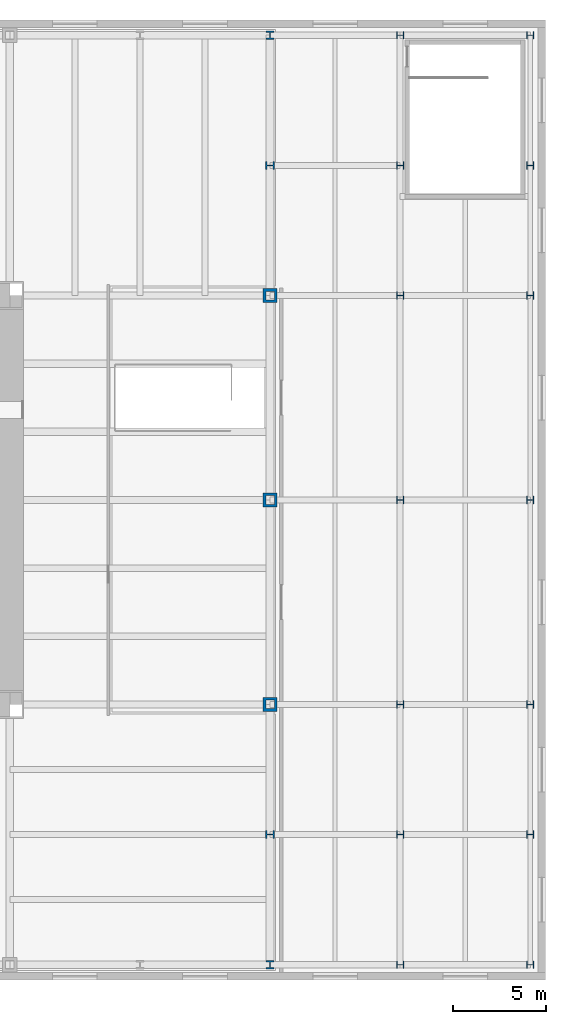
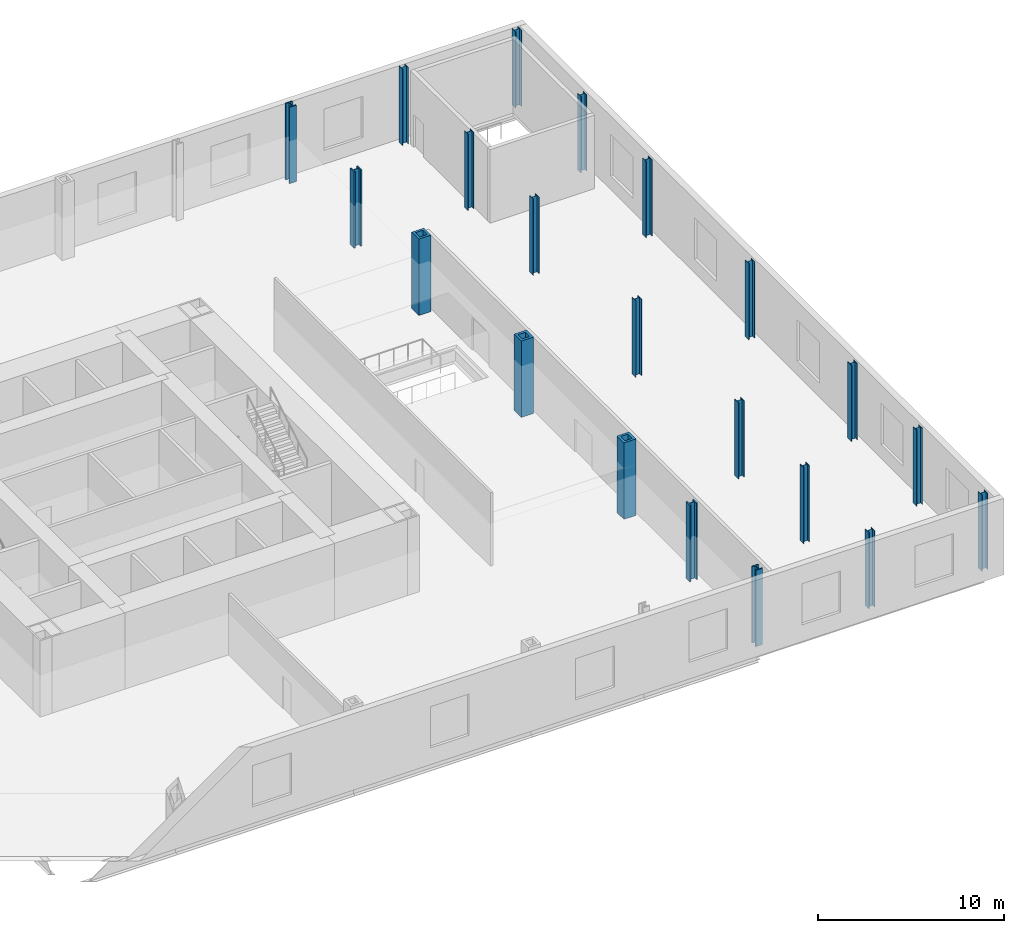
# One storey, part 4 of 12: 21 columns.
"""IFC4 building model written with IfcOpenShell, lengths in metres."""

from ifc_helpers import new_model, si_unit, direction, frame, origin, origin_2d, place, context, subcontext, project, spatial, hollow_rectangle, i_section, extrude, material, material_profile, profile_set, type_object, element, save


model = new_model("IFC4")

# Units and contexts
model_context = context("Model", 3, precision=1e-05, world=origin(), true_north=direction((0.0, 1.0)))
body_context = subcontext(model_context, "Body", "Model", "MODEL_VIEW")
ifc_project = project(units=[si_unit("LENGTHUNIT", "METRE"), si_unit("AREAUNIT", "SQUARE_METRE"), si_unit("VOLUMEUNIT", "CUBIC_METRE"), si_unit("PLANEANGLEUNIT", "RADIAN"), si_unit("MASSUNIT", "GRAM", prefix="KILO")], contexts=[model_context])

# Site, building, storey
site_placement = place(None, origin())
site = spatial("IfcSite", under=ifc_project, at=site_placement, CompositionType="ELEMENT")
building_placement = place(site_placement, origin())
building = spatial("IfcBuilding", under=site, at=building_placement, Name="Trevanion Tower", CompositionType="ELEMENT")
storey_placement = place(building_placement, frame((0.0, 0.0, 11.0)))
storey = spatial("IfcBuildingStorey", under=building, at=storey_placement, Name="L02", CompositionType="ELEMENT", Elevation=11.0)

# Columns
ifc_material_1 = material(Name="Steel ASTM A588 Grade 50", Category="steel")
ifc_material_profile_1 = material_profile(ifc_material_1, hollow_rectangle(XDim=0.761962890625, YDim=0.761962890625, WallThickness=0.15234375, at=origin_2d()), Name="BOX30X30X6")
ifc_profile_set_1 = profile_set([ifc_material_profile_1], Name="Steel ASTM A588 Grade 50")
column_type_1 = type_object("IfcColumnType", Name="C1 BOX30X30X6", PredefinedType="COLUMN", material=ifc_profile_set_1)
for number, where, z_axis, x_axis, name in (
    (1, (25.0, -11.0, 0.0), (0.0, 0.0, 1.0), (0.0, 1.0, 0.0), "C1 17/F L02"),
    (2, (25.0, 0.0, 0.0), (0.0, 0.0, 1.0), (0.0, 1.0, 0.0), "C1 17/H L02"),
    (3, (25.0, 11.0, 0.0), (0.0, 0.0, 1.0), (0.0, 1.0, 0.0), "C1 17/K L02"),
):
    element("IfcColumn", number, at=place(storey_placement, frame(where, z_axis=z_axis, x_axis=x_axis)), inside=storey, type_object=column_type_1, Name=name, PredefinedType="COLUMN", context=body_context, shape_type="SweptSolid", body=[
        extrude(hollow_rectangle(XDim=0.761962890625, YDim=0.761962890625, WallThickness=0.15234375, at=origin_2d()), origin(), (0.0, 0.0, 1.0), 5.0),
    ])
ifc_material_2 = material(Name="Steel ASTM A913 Grade 65", Category="steel")
ifc_material_profile_2 = material_profile(ifc_material_2, i_section(OverallWidth=0.4267578125, OverallDepth=0.482666015625, WebThickness=0.05126953125, FlangeThickness=0.08154296875, at=origin_2d()), Name="W14X455")
ifc_profile_set_2 = profile_set([ifc_material_profile_2], Name="Steel ASTM A913 Grade 65")
column_type_2 = type_object("IfcColumnType", Name="C2 W14X455", PredefinedType="COLUMN", material=ifc_profile_set_2)
for number, where, z_axis, x_axis, name in (
    (4, (25.0, -25.0, 0.0), (0.0, 0.0, 1.0), (1.0, 0.0, 0.0), "C2 17/A L02"),
    (5, (25.0, -18.0, 0.0), (0.0, 0.0, 1.0), (0.0, 1.0, 0.0), "C2 17/D L02"),
    (6, (25.0, 18.0, 0.0), (0.0, 0.0, 1.0), (0.0, 1.0, 0.0), "C2 17/M L02"),
    (7, (25.0, 25.0, 0.0), (0.0, 0.0, 1.0), (1.0, 0.0, 0.0), "C2 17/Q L02"),
):
    element("IfcColumn", number, at=place(storey_placement, frame(where, z_axis=z_axis, x_axis=x_axis)), inside=storey, type_object=column_type_2, Name=name, PredefinedType="COLUMN", context=body_context, shape_type="SweptSolid", body=[
        extrude(i_section(OverallWidth=0.4267578125, OverallDepth=0.482666015625, WebThickness=0.05126953125, FlangeThickness=0.08154296875, at=origin_2d()), origin(), (0.0, 0.0, 1.0), 5.0),
    ])
ifc_material_3 = material(Name="Steel ASTM A913 Grade 65", Category="steel")
ifc_material_profile_3 = material_profile(ifc_material_3, i_section(OverallWidth=0.393798828125, OverallDepth=0.3759765625, WebThickness=0.017333984375, FlangeThickness=0.027587890625, at=origin_2d()), Name="W14X145")
ifc_profile_set_3 = profile_set([ifc_material_profile_3], Name="Steel ASTM A913 Grade 65")
column_type_3 = type_object("IfcColumnType", Name="C3 W14X145", PredefinedType="COLUMN", material=ifc_profile_set_3)
for number, where, z_axis, x_axis, name in (
    (8, (32.0, -25.0, 0.0), (0.0, 0.0, 1.0), (0.0, 1.0, 0.0), "C3 18/A L02"),
    (9, (32.0, -18.0, 0.0), (0.0, 0.0, 1.0), (0.0, 1.0, 0.0), "C3 18/D L02"),
    (10, (32.0, -11.0, 0.0), (0.0, 0.0, 1.0), (0.0, 1.0, 0.0), "C3 18/F L02"),
    (11, (32.0, 0.0, 0.0), (0.0, 0.0, 1.0), (0.0, 1.0, 0.0), "C3 18/H L02"),
    (12, (32.0, 11.0, 0.0), (0.0, 0.0, 1.0), (0.0, 1.0, 0.0), "C3 18/K L02"),
    (13, (32.0, 18.0, 0.0), (0.0, 0.0, 1.0), (0.0, 1.0, 0.0), "C3 18/M L02"),
    (14, (32.0, 25.0, 0.0), (0.0, 0.0, 1.0), (0.0, 1.0, 0.0), "C3 18/Q L02"),
    (15, (39.0, -25.0, 0.0), (0.0, 0.0, 1.0), (0.0, 1.0, 0.0), "C3 19/A L02"),
    (16, (39.0, -18.0, 0.0), (0.0, 0.0, 1.0), (0.0, 1.0, 0.0), "C3 19/D L02"),
    (17, (39.0, -11.0, 0.0), (0.0, 0.0, 1.0), (0.0, 1.0, 0.0), "C3 19/F L02"),
    (18, (39.0, 0.0, 0.0), (0.0, 0.0, 1.0), (0.0, 1.0, 0.0), "C3 19/H L02"),
    (19, (39.0, 11.0, 0.0), (0.0, 0.0, 1.0), (0.0, 1.0, 0.0), "C3 19/K L02"),
    (20, (39.0, 18.0, 0.0), (0.0, 0.0, 1.0), (0.0, 1.0, 0.0), "C3 19/M L02"),
    (21, (39.0, 25.0, 0.0), (0.0, 0.0, 1.0), (0.0, 1.0, 0.0), "C3 19/Q L02"),
):
    element("IfcColumn", number, at=place(storey_placement, frame(where, z_axis=z_axis, x_axis=x_axis)), inside=storey, type_object=column_type_3, Name=name, PredefinedType="COLUMN", context=body_context, shape_type="SweptSolid", body=[
        extrude(i_section(OverallWidth=0.393798828125, OverallDepth=0.3759765625, WebThickness=0.017333984375, FlangeThickness=0.027587890625, at=origin_2d()), origin(), (0.0, 0.0, 1.0), 5.0),
    ])

save(model, "model.ifc")
